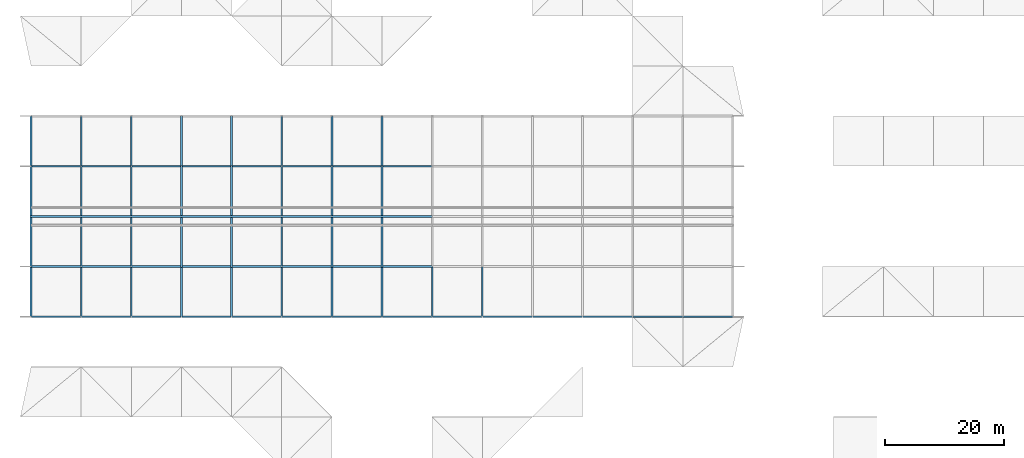
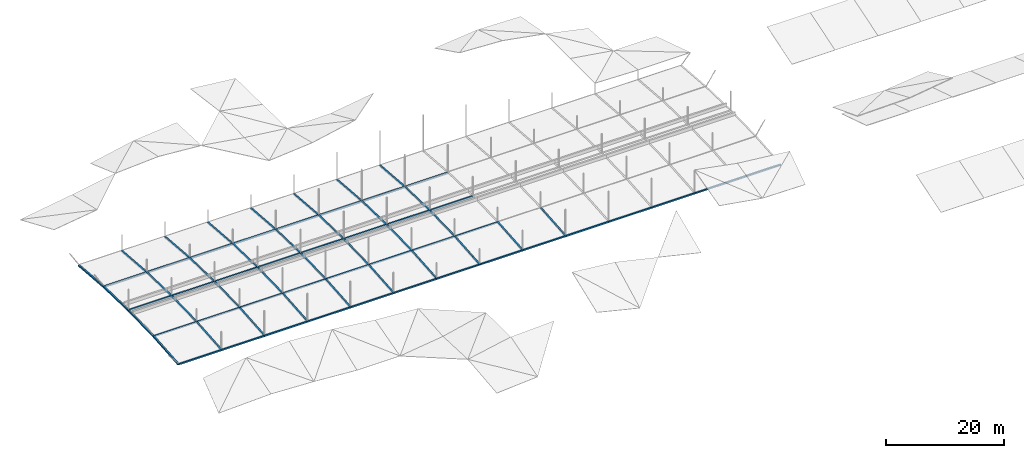
# One storey, part 1 of 37: 72 members.
"""IFC4 building model written with IfcOpenShell, lengths in metres."""

import ifcopenshell
import ifcopenshell.guid

model = None  # the IFC model being written
_history = None  # IfcOwnerHistory: only IFC2X3 demands one
_inside = {}  # id of a spatial element -> (the spatial element, [elements in it])
_under = {}  # id of a project, library or spatial element -> (it, [spatial elements below it])
_declared = {}  # id of a project -> (the project, [libraries it declares])
_typed = {}  # id of a type object -> (the type object, [elements of that type])
_made_of = {}  # id of a material, layer set ... -> (it, [elements and type objects made of it])


def new_model(schema):
    """Start an empty IFC model of exactly this schema.

    Asked for "IFC4X3", IfcOpenShell would pick the latest addendum, in which some entities
    have other attributes; the version numbers below select the first issue.
    IFC2X3 requires an IfcOwnerHistory on every rooted entity: one is made here for all.
    """
    global model, _history
    if schema == "IFC4X3":
        model = ifcopenshell.file(schema_version=(4, 3, 0, 0))
    else:
        model = ifcopenshell.file(schema=schema)
    _inside.clear()
    _under.clear()
    _declared.clear()
    _typed.clear()
    _made_of.clear()
    _history = None
    if model.schema == "IFC2X3":
        org = make("IfcOrganization", Name="unknown")
        user = make(
            "IfcPersonAndOrganization",
            ThePerson=make("IfcPerson", FamilyName="unknown"),
            TheOrganization=org,
        )
        app = make(
            "IfcApplication",
            ApplicationDeveloper=org,
            Version="unknown",
            ApplicationFullName="unknown",
            ApplicationIdentifier="unknown",
        )
        _history = make(
            "IfcOwnerHistory",
            OwningUser=user,
            OwningApplication=app,
            ChangeAction="ADDED",
            CreationDate=0,
        )
    return model


def make(cls, **values):
    """One entity of the class cls with the attributes given. An attribute that is None is left unset."""
    return model.create_entity(
        cls, **{name: value for name, value in values.items() if value is not None}
    )


def rooted(cls, **values):
    """An entity with a GlobalId (a new one), such as an element, a storey or a relation."""
    return make(cls, GlobalId=ifcopenshell.guid.new(), OwnerHistory=_history, **values)


def si_unit(unit_type, name, prefix=None):
    """IfcSIUnit, for example si_unit("LENGTHUNIT", "METRE", prefix="MILLI")."""
    return make("IfcSIUnit", UnitType=unit_type, Prefix=prefix, Name=name)


def assignment(units):
    """IfcUnitAssignment: the units of a project."""
    return None if units is None else make("IfcUnitAssignment", Units=units)


def point(xyz):
    """IfcCartesianPoint."""
    return None if xyz is None else make("IfcCartesianPoint", Coordinates=xyz)


def direction(xyz):
    """IfcDirection."""
    return None if xyz is None else make("IfcDirection", DirectionRatios=xyz)


def frame(location, z_axis=None, x_axis=None):
    """IfcAxis2Placement3D, a coordinate frame: its origin and axes. An axis left out is left unset."""
    return make(
        "IfcAxis2Placement3D",
        Location=point(location),
        Axis=direction(z_axis),
        RefDirection=direction(x_axis),
    )


def frame_2d(location, x_axis=None):
    """IfcAxis2Placement2D, a coordinate frame in the plane: its origin and x axis."""
    return make(
        "IfcAxis2Placement2D", Location=point(location), RefDirection=direction(x_axis)
    )


def origin():
    """The frame at (0, 0, 0) with its axes left unset."""
    return frame((0.0, 0.0, 0.0))


def origin_2d():
    """The frame at (0, 0) in the plane with its x axis left unset."""
    return frame_2d((0.0, 0.0))


def place(relative_to, where):
    """IfcLocalPlacement: puts the frame where relative to a parent placement (None: the world)."""
    return make(
        "IfcLocalPlacement", PlacementRelTo=relative_to, RelativePlacement=where
    )


def context(
    kind, dimensions, precision=None, world=None, true_north=None, identifier=None
):
    """IfcGeometricRepresentationContext, for example the 3D "Model" context."""
    return make(
        "IfcGeometricRepresentationContext",
        ContextIdentifier=identifier,
        ContextType=kind,
        CoordinateSpaceDimension=dimensions,
        Precision=precision,
        WorldCoordinateSystem=world,
        TrueNorth=true_north,
    )


def subcontext(parent, identifier, kind, view, scale=None):
    """IfcGeometricRepresentationSubContext, for example "Body" below "Model"."""
    return make(
        "IfcGeometricRepresentationSubContext",
        ContextIdentifier=identifier,
        ContextType=kind,
        ParentContext=parent,
        TargetScale=scale,
        TargetView=view,
    )


def project(units=None, contexts=None):
    """IfcProject with its units and contexts."""
    return rooted(
        "IfcProject",
        Name="project",
        RepresentationContexts=contexts,
        UnitsInContext=assignment(units),
    )


def spatial(cls, under=None, at=None, **own):
    """A site, building, storey or space (cls), placed at a placement, below another one or the project."""
    s = rooted(cls, ObjectPlacement=at, **own)
    if under is not None:
        _under.setdefault(under.id(), (under, []))[1].append(s)
    return s


def profile(cls, at=None, kind="AREA", **sizes):
    """A parametric profile (cls). Its sizes go by their IFC names, for example OverallWidth=200.0."""
    return make(cls, ProfileType=kind, Position=at, **sizes)


def hollow_rectangle(**sizes):
    """IfcRectangleHollowProfileDef."""
    return profile("IfcRectangleHollowProfileDef", **sizes)


def extrude(swept, where, along, depth):
    """IfcExtrudedAreaSolid: the profile swept, set in the frame where, extruded along a direction by depth."""
    return make(
        "IfcExtrudedAreaSolid",
        SweptArea=swept,
        Position=where,
        ExtrudedDirection=direction(along),
        Depth=depth,
    )


def shape(context_of_items, identifier, shape_type, items):
    """IfcShapeRepresentation: the items that make up one representation, for example the "Body"."""
    return make(
        "IfcShapeRepresentation",
        ContextOfItems=context_of_items,
        RepresentationIdentifier=identifier,
        RepresentationType=shape_type,
        Items=items,
    )


def material(Name=None, Category=None):
    """IfcMaterial."""
    return make("IfcMaterial", Name=Name, Category=Category)


def material_profile(
    of_material, cross_section, Name=None, Category=None, Priority=None
):
    """IfcMaterialProfile: a cross section and its material."""
    return make(
        "IfcMaterialProfile",
        Name=Name,
        Material=of_material,
        Profile=cross_section,
        Priority=Priority,
        Category=Category,
    )


def profile_set(profiles, Name=None, composite=None):
    """IfcMaterialProfileSet."""
    return make(
        "IfcMaterialProfileSet",
        Name=Name,
        MaterialProfiles=profiles,
        CompositeProfile=composite,
    )


def made_of(thing, what):
    """Note that an element or type object is made of a material, layer set ...; save() writes the relation."""
    if what is not None:
        _made_of.setdefault(what.id(), (what, []))[1].append(thing)
    return thing


def type_object(cls, material=None, **own):
    """A type object (cls), such as IfcWallType, which elements share."""
    return made_of(rooted(cls, **own), material)


def element(
    cls,
    number,
    at=None,
    inside=None,
    cuts=None,
    type_object=None,
    material=None,
    context=None,
    identifier="Body",
    shape_type=None,
    held_by="IfcProductDefinitionShape",
    body=None,
    shapes=None,
    **own,
):
    """One element of the class cls, such as IfcWall. Its Tag is "e" and its number.

    at: its placement. inside: the storey or other place that contains it. cuts: it is an
    opening in that element (IfcRelVoidsElement). A single representation is given by context,
    identifier, shape_type and body (its items); several are given by shapes. held_by: the class
    of the entity that holds the representations. save() writes the other relations.
    """
    e = rooted(cls, Tag="e%d" % number, ObjectPlacement=at, **own)
    if body is not None:
        shapes = [shape(context, identifier, shape_type, body)]
    if shapes is not None:
        e.Representation = make(held_by, Representations=shapes)
    if inside is not None:
        _inside.setdefault(inside.id(), (inside, []))[1].append(e)
    if cuts is not None:
        rooted(
            "IfcRelVoidsElement", RelatingBuildingElement=cuts, RelatedOpeningElement=e
        )
    if type_object is not None:
        _typed.setdefault(type_object.id(), (type_object, []))[1].append(e)
    return made_of(e, material)


def aggregate(whole, parts):
    """IfcRelAggregates: a whole, such as a stair, and the parts it consists of."""
    return rooted("IfcRelAggregates", RelatingObject=whole, RelatedObjects=parts)


def save(model, path):
    """Write the relations noted so far, then the file.

    IfcRelAggregates (storeys below a building ...), IfcRelContainedInSpatialStructure (elements
    in a storey), IfcRelDefinesByType, IfcRelAssociatesMaterial and IfcRelDeclares: one each for
    every whole, place, type object, material and project.
    """
    for whole, parts in _under.values():
        aggregate(whole, parts)
    for where, things in _inside.values():
        rooted(
            "IfcRelContainedInSpatialStructure",
            RelatedElements=things,
            RelatingStructure=where,
        )
    for kind, things in _typed.values():
        rooted("IfcRelDefinesByType", RelatedObjects=things, RelatingType=kind)
    for what, things in _made_of.values():
        rooted("IfcRelAssociatesMaterial", RelatedObjects=things, RelatingMaterial=what)
    for by, libraries in _declared.values():
        rooted("IfcRelDeclares", RelatingContext=by, RelatedDefinitions=libraries)
    model.write(path)


model = new_model("IFC4")

# Units and contexts
model_context = context("Model", 3, precision=1e-05, world=origin(), true_north=direction((0.0, 1.0)))
body_context = subcontext(model_context, "Body", "Model", "MODEL_VIEW")
ifc_project = project(units=[si_unit("LENGTHUNIT", "METRE"), si_unit("AREAUNIT", "SQUARE_METRE"), si_unit("VOLUMEUNIT", "CUBIC_METRE"), si_unit("PLANEANGLEUNIT", "RADIAN"), si_unit("MASSUNIT", "GRAM", prefix="KILO")], contexts=[model_context])

# Site, building, storey
site_placement = place(None, origin())
site = spatial("IfcSite", under=ifc_project, at=site_placement, CompositionType="ELEMENT")
building_placement = place(site_placement, origin())
building = spatial("IfcBuilding", under=site, at=building_placement, Name="Rain Tree Exposition and Congress Centre", CompositionType="ELEMENT")
storey_placement = place(building_placement, frame((0.0, 0.0, 25.0)))
storey = spatial("IfcBuildingStorey", under=building, at=storey_placement, Name="ROOF VAULT LOW", CompositionType="ELEMENT", Elevation=25.0)

# Members
ifc_material = material(Name="Steel S355J2H", Category="steel")
ifc_material_profile = material_profile(ifc_material, hollow_rectangle(XDim=0.300048828125, YDim=0.300048828125, WallThickness=0.009033203125, at=origin_2d()), Name="RHS 300x300x9")
ifc_profile_set = profile_set([ifc_material_profile], Name="Steel S355J2H")
member_type = type_object("IfcMemberType", Name="Steel chord member RHS 300x300x9", PredefinedType="CHORD", material=ifc_profile_set)
member_1_placement = place(storey_placement, frame((8.39990234375, 134.39990234375, 0.339111328125), z_axis=(1.0, 0.0, 0.0), x_axis=(0.0, 1.0, 0.0)))
element("IfcMember", 1, at=member_1_placement, inside=storey, type_object=member_type, Name="Top chord 57", PredefinedType="CHORD", context=body_context, shape_type="SweptSolid", body=[
    extrude(hollow_rectangle(XDim=0.300048828125, YDim=0.300048828125, WallThickness=0.009033203125, at=origin_2d()), origin(), (0.0, 0.0, 1.0), 8.400146484375),
])
member_2_placement = place(storey_placement, frame((16.800048828125, 134.39990234375, 0.339111328125), z_axis=(1.0, 0.0, 0.0), x_axis=(0.0, 1.0, 0.0)))
element("IfcMember", 2, at=member_2_placement, inside=storey, type_object=member_type, Name="Top chord 58", PredefinedType="CHORD", context=body_context, shape_type="SweptSolid", body=[
    extrude(hollow_rectangle(XDim=0.300048828125, YDim=0.300048828125, WallThickness=0.009033203125, at=origin_2d()), origin(), (0.0, 0.0, 1.0), 8.39990234375),
])
member_3_placement = place(storey_placement, frame((25.199951171875, 134.39990234375, 0.339111328125), z_axis=(1.0, 0.0, 0.0), x_axis=(0.0, 1.0, 0.0)))
element("IfcMember", 3, at=member_3_placement, inside=storey, type_object=member_type, Name="Top chord 59", PredefinedType="CHORD", context=body_context, shape_type="SweptSolid", body=[
    extrude(hollow_rectangle(XDim=0.300048828125, YDim=0.300048828125, WallThickness=0.009033203125, at=origin_2d()), origin(), (0.0, 0.0, 1.0), 8.400146484375),
])
for number, where, z_axis, x_axis, name in (
    (4, (33.60009765625, 134.39990234375, 0.339111328125), (1.0, 0.0, 0.0), (0.0, 1.0, 0.0), "Top chord 60"),
    (5, (42.0, 134.39990234375, 0.339111328125), (1.0, 0.0, 0.0), (0.0, 1.0, 0.0), "Top chord 61"),
):
    element("IfcMember", number, at=place(storey_placement, frame(where, z_axis=z_axis, x_axis=x_axis)), inside=storey, type_object=member_type, Name=name, PredefinedType="CHORD", context=body_context, shape_type="SweptSolid", body=[
        extrude(hollow_rectangle(XDim=0.300048828125, YDim=0.300048828125, WallThickness=0.009033203125, at=origin_2d()), origin(), (0.0, 0.0, 1.0), 8.39990234375),
    ])
member_4_placement = place(storey_placement, frame((50.39990234375, 134.39990234375, 0.339111328125), z_axis=(1.0, 0.0, 0.0), x_axis=(0.0, 1.0, 0.0)))
element("IfcMember", 6, at=member_4_placement, inside=storey, type_object=member_type, Name="Top chord 62", PredefinedType="CHORD", context=body_context, shape_type="SweptSolid", body=[
    extrude(hollow_rectangle(XDim=0.300048828125, YDim=0.300048828125, WallThickness=0.009033203125, at=origin_2d()), origin(), (0.0, 0.0, 1.0), 8.400146484375),
])
member_5_placement = place(storey_placement, frame((58.800048828125, 134.39990234375, 0.339111328125), z_axis=(1.0, 0.0, 0.0), x_axis=(0.0, 1.0, 0.0)))
element("IfcMember", 7, at=member_5_placement, inside=storey, type_object=member_type, Name="Top chord 63", PredefinedType="CHORD", context=body_context, shape_type="SweptSolid", body=[
    extrude(hollow_rectangle(XDim=0.300048828125, YDim=0.300048828125, WallThickness=0.009033203125, at=origin_2d()), origin(), (0.0, 0.0, 1.0), 8.39990234375),
])
member_6_placement = place(storey_placement, frame((67.199951171875, 134.39990234375, 0.339111328125), z_axis=(1.0, 0.0, 0.0), x_axis=(0.0, 1.0, 0.0)))
element("IfcMember", 8, at=member_6_placement, inside=storey, type_object=member_type, Name="Top chord 64", PredefinedType="CHORD", context=body_context, shape_type="SweptSolid", body=[
    extrude(hollow_rectangle(XDim=0.300048828125, YDim=0.300048828125, WallThickness=0.009033203125, at=origin_2d()), origin(), (0.0, 0.0, 1.0), 8.400146484375),
])
for number, where, z_axis, x_axis, name in (
    (9, (75.60009765625, 134.39990234375, 0.339111328125), (1.0, 0.0, 0.0), (0.0, 1.0, 0.0), "Top chord 65"),
    (10, (84.0, 134.39990234375, 0.339111328125), (1.0, 0.0, 0.0), (0.0, 1.0, 0.0), "Top chord 66"),
):
    element("IfcMember", number, at=place(storey_placement, frame(where, z_axis=z_axis, x_axis=x_axis)), inside=storey, type_object=member_type, Name=name, PredefinedType="CHORD", context=body_context, shape_type="SweptSolid", body=[
        extrude(hollow_rectangle(XDim=0.300048828125, YDim=0.300048828125, WallThickness=0.009033203125, at=origin_2d()), origin(), (0.0, 0.0, 1.0), 8.39990234375),
    ])
member_7_placement = place(storey_placement, frame((92.39990234375, 134.39990234375, 0.339111328125), z_axis=(1.0, 0.0, 0.0), x_axis=(0.0, 1.0, 0.0)))
element("IfcMember", 11, at=member_7_placement, inside=storey, type_object=member_type, Name="Top chord 67", PredefinedType="CHORD", context=body_context, shape_type="SweptSolid", body=[
    extrude(hollow_rectangle(XDim=0.300048828125, YDim=0.300048828125, WallThickness=0.009033203125, at=origin_2d()), origin(), (0.0, 0.0, 1.0), 8.400146484375),
])
member_8_placement = place(storey_placement, frame((100.800048828125, 134.39990234375, 0.339111328125), z_axis=(1.0, 0.0, 0.0), x_axis=(0.0, 1.0, 0.0)))
element("IfcMember", 12, at=member_8_placement, inside=storey, type_object=member_type, Name="Top chord 68", PredefinedType="CHORD", context=body_context, shape_type="SweptSolid", body=[
    extrude(hollow_rectangle(XDim=0.300048828125, YDim=0.300048828125, WallThickness=0.009033203125, at=origin_2d()), origin(), (0.0, 0.0, 1.0), 8.39990234375),
])
member_9_placement = place(storey_placement, frame((109.199951171875, 134.39990234375, 0.339111328125), z_axis=(1.0, 0.0, 0.0), x_axis=(0.0, 1.0, 0.0)))
element("IfcMember", 13, at=member_9_placement, inside=storey, type_object=member_type, Name="Top chord 69", PredefinedType="CHORD", context=body_context, shape_type="SweptSolid", body=[
    extrude(hollow_rectangle(XDim=0.300048828125, YDim=0.300048828125, WallThickness=0.009033203125, at=origin_2d()), origin(), (0.0, 0.0, 1.0), 8.400146484375),
])
member_10_placement = place(storey_placement, frame((117.60009765625, 134.39990234375, 0.339111328125), z_axis=(1.0, 0.0, 0.0), x_axis=(0.0, 1.0, 0.0)))
element("IfcMember", 14, at=member_10_placement, inside=storey, type_object=member_type, Name="Top chord 70", PredefinedType="CHORD", context=body_context, shape_type="SweptSolid", body=[
    extrude(hollow_rectangle(XDim=0.300048828125, YDim=0.300048828125, WallThickness=0.009033203125, at=origin_2d()), origin(), (0.0, 0.0, 1.0), 8.39990234375),
])
member_11_placement = place(storey_placement, frame((8.39990234375, 142.800048828125, 1.022705078125), z_axis=(1.0, 0.0, 0.0), x_axis=(0.0, 1.0, 0.0)))
element("IfcMember", 15, at=member_11_placement, inside=storey, type_object=member_type, Name="Top chord 71", PredefinedType="CHORD", context=body_context, shape_type="SweptSolid", body=[
    extrude(hollow_rectangle(XDim=0.300048828125, YDim=0.300048828125, WallThickness=0.009033203125, at=origin_2d()), origin(), (0.0, 0.0, 1.0), 8.400146484375),
])
member_12_placement = place(storey_placement, frame((16.800048828125, 142.800048828125, 1.022705078125), z_axis=(1.0, 0.0, 0.0), x_axis=(0.0, 1.0, 0.0)))
element("IfcMember", 16, at=member_12_placement, inside=storey, type_object=member_type, Name="Top chord 72", PredefinedType="CHORD", context=body_context, shape_type="SweptSolid", body=[
    extrude(hollow_rectangle(XDim=0.300048828125, YDim=0.300048828125, WallThickness=0.009033203125, at=origin_2d()), origin(), (0.0, 0.0, 1.0), 8.39990234375),
])
member_13_placement = place(storey_placement, frame((25.199951171875, 142.800048828125, 1.022705078125), z_axis=(1.0, 0.0, 0.0), x_axis=(0.0, 1.0, 0.0)))
element("IfcMember", 17, at=member_13_placement, inside=storey, type_object=member_type, Name="Top chord 73", PredefinedType="CHORD", context=body_context, shape_type="SweptSolid", body=[
    extrude(hollow_rectangle(XDim=0.300048828125, YDim=0.300048828125, WallThickness=0.009033203125, at=origin_2d()), origin(), (0.0, 0.0, 1.0), 8.400146484375),
])
for number, where, z_axis, x_axis, name in (
    (18, (33.60009765625, 142.800048828125, 1.022705078125), (1.0, 0.0, 0.0), (0.0, 1.0, 0.0), "Top chord 74"),
    (19, (42.0, 142.800048828125, 1.022705078125), (1.0, 0.0, 0.0), (0.0, 1.0, 0.0), "Top chord 75"),
):
    element("IfcMember", number, at=place(storey_placement, frame(where, z_axis=z_axis, x_axis=x_axis)), inside=storey, type_object=member_type, Name=name, PredefinedType="CHORD", context=body_context, shape_type="SweptSolid", body=[
        extrude(hollow_rectangle(XDim=0.300048828125, YDim=0.300048828125, WallThickness=0.009033203125, at=origin_2d()), origin(), (0.0, 0.0, 1.0), 8.39990234375),
    ])
member_14_placement = place(storey_placement, frame((50.39990234375, 142.800048828125, 1.022705078125), z_axis=(1.0, 0.0, 0.0), x_axis=(0.0, 1.0, 0.0)))
element("IfcMember", 20, at=member_14_placement, inside=storey, type_object=member_type, Name="Top chord 76", PredefinedType="CHORD", context=body_context, shape_type="SweptSolid", body=[
    extrude(hollow_rectangle(XDim=0.300048828125, YDim=0.300048828125, WallThickness=0.009033203125, at=origin_2d()), origin(), (0.0, 0.0, 1.0), 8.400146484375),
])
member_15_placement = place(storey_placement, frame((58.800048828125, 142.800048828125, 1.022705078125), z_axis=(1.0, 0.0, 0.0), x_axis=(0.0, 1.0, 0.0)))
element("IfcMember", 21, at=member_15_placement, inside=storey, type_object=member_type, Name="Top chord 77", PredefinedType="CHORD", context=body_context, shape_type="SweptSolid", body=[
    extrude(hollow_rectangle(XDim=0.300048828125, YDim=0.300048828125, WallThickness=0.009033203125, at=origin_2d()), origin(), (0.0, 0.0, 1.0), 8.39990234375),
])
for number, where, z_axis, x_axis, name in (
    (22, (67.199951171875, 142.800048828125, 1.022705078125), (1.0, 0.0, 0.0), (0.0, 1.0, 0.0), "Top chord 78"),
    (23, (8.39990234375, 151.199951171875, 1.25), (1.0, 0.0, 0.0), (0.0, 1.0, 0.0), "Top chord 85"),
):
    element("IfcMember", number, at=place(storey_placement, frame(where, z_axis=z_axis, x_axis=x_axis)), inside=storey, type_object=member_type, Name=name, PredefinedType="CHORD", context=body_context, shape_type="SweptSolid", body=[
        extrude(hollow_rectangle(XDim=0.300048828125, YDim=0.300048828125, WallThickness=0.009033203125, at=origin_2d()), origin(), (0.0, 0.0, 1.0), 8.400146484375),
    ])
member_16_placement = place(storey_placement, frame((16.800048828125, 151.199951171875, 1.25), z_axis=(1.0, 0.0, 0.0), x_axis=(0.0, 1.0, 0.0)))
element("IfcMember", 24, at=member_16_placement, inside=storey, type_object=member_type, Name="Top chord 86", PredefinedType="CHORD", context=body_context, shape_type="SweptSolid", body=[
    extrude(hollow_rectangle(XDim=0.300048828125, YDim=0.300048828125, WallThickness=0.009033203125, at=origin_2d()), origin(), (0.0, 0.0, 1.0), 8.39990234375),
])
member_17_placement = place(storey_placement, frame((25.199951171875, 151.199951171875, 1.25), z_axis=(1.0, 0.0, 0.0), x_axis=(0.0, 1.0, 0.0)))
element("IfcMember", 25, at=member_17_placement, inside=storey, type_object=member_type, Name="Top chord 87", PredefinedType="CHORD", context=body_context, shape_type="SweptSolid", body=[
    extrude(hollow_rectangle(XDim=0.300048828125, YDim=0.300048828125, WallThickness=0.009033203125, at=origin_2d()), origin(), (0.0, 0.0, 1.0), 8.400146484375),
])
for number, where, z_axis, x_axis, name in (
    (26, (33.60009765625, 151.199951171875, 1.25), (1.0, 0.0, 0.0), (0.0, 1.0, 0.0), "Top chord 88"),
    (27, (42.0, 151.199951171875, 1.25), (1.0, 0.0, 0.0), (0.0, 1.0, 0.0), "Top chord 89"),
):
    element("IfcMember", number, at=place(storey_placement, frame(where, z_axis=z_axis, x_axis=x_axis)), inside=storey, type_object=member_type, Name=name, PredefinedType="CHORD", context=body_context, shape_type="SweptSolid", body=[
        extrude(hollow_rectangle(XDim=0.300048828125, YDim=0.300048828125, WallThickness=0.009033203125, at=origin_2d()), origin(), (0.0, 0.0, 1.0), 8.39990234375),
    ])
member_18_placement = place(storey_placement, frame((50.39990234375, 151.199951171875, 1.25), z_axis=(1.0, 0.0, 0.0), x_axis=(0.0, 1.0, 0.0)))
element("IfcMember", 28, at=member_18_placement, inside=storey, type_object=member_type, Name="Top chord 90", PredefinedType="CHORD", context=body_context, shape_type="SweptSolid", body=[
    extrude(hollow_rectangle(XDim=0.300048828125, YDim=0.300048828125, WallThickness=0.009033203125, at=origin_2d()), origin(), (0.0, 0.0, 1.0), 8.400146484375),
])
member_19_placement = place(storey_placement, frame((58.800048828125, 151.199951171875, 1.25), z_axis=(1.0, 0.0, 0.0), x_axis=(0.0, 1.0, 0.0)))
element("IfcMember", 29, at=member_19_placement, inside=storey, type_object=member_type, Name="Top chord 91", PredefinedType="CHORD", context=body_context, shape_type="SweptSolid", body=[
    extrude(hollow_rectangle(XDim=0.300048828125, YDim=0.300048828125, WallThickness=0.009033203125, at=origin_2d()), origin(), (0.0, 0.0, 1.0), 8.39990234375),
])
for number, where, z_axis, x_axis, name in (
    (30, (67.199951171875, 151.199951171875, 1.25), (1.0, 0.0, 0.0), (0.0, 1.0, 0.0), "Top chord 92"),
    (31, (8.39990234375, 159.60009765625, 1.022705078125), (1.0, 0.0, 0.0), (0.0, 1.0, 0.0), "Top chord 99"),
):
    element("IfcMember", number, at=place(storey_placement, frame(where, z_axis=z_axis, x_axis=x_axis)), inside=storey, type_object=member_type, Name=name, PredefinedType="CHORD", context=body_context, shape_type="SweptSolid", body=[
        extrude(hollow_rectangle(XDim=0.300048828125, YDim=0.300048828125, WallThickness=0.009033203125, at=origin_2d()), origin(), (0.0, 0.0, 1.0), 8.400146484375),
    ])
member_20_placement = place(storey_placement, frame((16.800048828125, 159.60009765625, 1.022705078125), z_axis=(1.0, 0.0, 0.0), x_axis=(0.0, 1.0, 0.0)))
element("IfcMember", 32, at=member_20_placement, inside=storey, type_object=member_type, Name="Top chord 100", PredefinedType="CHORD", context=body_context, shape_type="SweptSolid", body=[
    extrude(hollow_rectangle(XDim=0.300048828125, YDim=0.300048828125, WallThickness=0.009033203125, at=origin_2d()), origin(), (0.0, 0.0, 1.0), 8.39990234375),
])
member_21_placement = place(storey_placement, frame((25.199951171875, 159.60009765625, 1.022705078125), z_axis=(1.0, 0.0, 0.0), x_axis=(0.0, 1.0, 0.0)))
element("IfcMember", 33, at=member_21_placement, inside=storey, type_object=member_type, Name="Top chord 101", PredefinedType="CHORD", context=body_context, shape_type="SweptSolid", body=[
    extrude(hollow_rectangle(XDim=0.300048828125, YDim=0.300048828125, WallThickness=0.009033203125, at=origin_2d()), origin(), (0.0, 0.0, 1.0), 8.400146484375),
])
for number, where, z_axis, x_axis, name in (
    (34, (33.60009765625, 159.60009765625, 1.022705078125), (1.0, 0.0, 0.0), (0.0, 1.0, 0.0), "Top chord 102"),
    (35, (42.0, 159.60009765625, 1.022705078125), (1.0, 0.0, 0.0), (0.0, 1.0, 0.0), "Top chord 103"),
):
    element("IfcMember", number, at=place(storey_placement, frame(where, z_axis=z_axis, x_axis=x_axis)), inside=storey, type_object=member_type, Name=name, PredefinedType="CHORD", context=body_context, shape_type="SweptSolid", body=[
        extrude(hollow_rectangle(XDim=0.300048828125, YDim=0.300048828125, WallThickness=0.009033203125, at=origin_2d()), origin(), (0.0, 0.0, 1.0), 8.39990234375),
    ])
member_22_placement = place(storey_placement, frame((50.39990234375, 159.60009765625, 1.022705078125), z_axis=(1.0, 0.0, 0.0), x_axis=(0.0, 1.0, 0.0)))
element("IfcMember", 36, at=member_22_placement, inside=storey, type_object=member_type, Name="Top chord 104", PredefinedType="CHORD", context=body_context, shape_type="SweptSolid", body=[
    extrude(hollow_rectangle(XDim=0.300048828125, YDim=0.300048828125, WallThickness=0.009033203125, at=origin_2d()), origin(), (0.0, 0.0, 1.0), 8.400146484375),
])
member_23_placement = place(storey_placement, frame((58.800048828125, 159.60009765625, 1.022705078125), z_axis=(1.0, 0.0, 0.0), x_axis=(0.0, 1.0, 0.0)))
element("IfcMember", 37, at=member_23_placement, inside=storey, type_object=member_type, Name="Top chord 105", PredefinedType="CHORD", context=body_context, shape_type="SweptSolid", body=[
    extrude(hollow_rectangle(XDim=0.300048828125, YDim=0.300048828125, WallThickness=0.009033203125, at=origin_2d()), origin(), (0.0, 0.0, 1.0), 8.39990234375),
])
member_24_placement = place(storey_placement, frame((67.199951171875, 159.60009765625, 1.022705078125), z_axis=(1.0, 0.0, 0.0), x_axis=(0.0, 1.0, 0.0)))
element("IfcMember", 38, at=member_24_placement, inside=storey, type_object=member_type, Name="Top chord 106", PredefinedType="CHORD", context=body_context, shape_type="SweptSolid", body=[
    extrude(hollow_rectangle(XDim=0.300048828125, YDim=0.300048828125, WallThickness=0.009033203125, at=origin_2d()), origin(), (0.0, 0.0, 1.0), 8.400146484375),
])
member_25_placement = place(storey_placement, frame((8.39990234375, 134.39990234375, 0.339111328125), z_axis=(0.0, 0.996705102693, 0.081110654447), x_axis=(-1.0, 0.0, 0.0)))
element("IfcMember", 39, at=member_25_placement, inside=storey, type_object=member_type, Name="Top chord 187", PredefinedType="CHORD", context=body_context, shape_type="SweptSolid", body=[
    extrude(hollow_rectangle(XDim=0.300048828125, YDim=0.300048828125, WallThickness=0.009033203125, at=origin_2d()), origin(), (0.0, 0.0, 1.0), 8.427978515625),
])
member_26_placement = place(storey_placement, frame((8.39990234375, 142.800048828125, 1.022705078125), z_axis=(0.0, 0.999634099854, 0.027049332877), x_axis=(-1.0, 0.0, 0.0)))
element("IfcMember", 40, at=member_26_placement, inside=storey, type_object=member_type, Name="Top chord 188", PredefinedType="CHORD", context=body_context, shape_type="SweptSolid", body=[
    extrude(hollow_rectangle(XDim=0.300048828125, YDim=0.300048828125, WallThickness=0.009033203125, at=origin_2d()), origin(), (0.0, 0.0, 1.0), 8.403076171875),
])
member_27_placement = place(storey_placement, frame((8.39990234375, 151.199951171875, 1.25), z_axis=(0.0, 0.999634121111, -0.027048547294), x_axis=(-1.0, 0.0, 0.0)))
element("IfcMember", 41, at=member_27_placement, inside=storey, type_object=member_type, Name="Top chord 189", PredefinedType="CHORD", context=body_context, shape_type="SweptSolid", body=[
    extrude(hollow_rectangle(XDim=0.300048828125, YDim=0.300048828125, WallThickness=0.009033203125, at=origin_2d()), origin(), (0.0, 0.0, 1.0), 8.4033203125),
])
member_28_placement = place(storey_placement, frame((8.39990234375, 159.60009765625, 1.022705078125), z_axis=(0.0, 0.996704912106, -0.081112996393), x_axis=(-1.0, 0.0, 0.0)))
element("IfcMember", 42, at=member_28_placement, inside=storey, type_object=member_type, Name="Top chord 190", PredefinedType="CHORD", context=body_context, shape_type="SweptSolid", body=[
    extrude(hollow_rectangle(XDim=0.300048828125, YDim=0.300048828125, WallThickness=0.009033203125, at=origin_2d()), origin(), (0.0, 0.0, 1.0), 8.427734375),
])
member_29_placement = place(storey_placement, frame((16.800048828125, 134.39990234375, 0.339111328125), z_axis=(0.0, 0.996705102693, 0.081110654447), x_axis=(-1.0, 0.0, 0.0)))
element("IfcMember", 43, at=member_29_placement, inside=storey, type_object=member_type, Name="Top chord 199", PredefinedType="CHORD", context=body_context, shape_type="SweptSolid", body=[
    extrude(hollow_rectangle(XDim=0.300048828125, YDim=0.300048828125, WallThickness=0.009033203125, at=origin_2d()), origin(), (0.0, 0.0, 1.0), 8.427978515625),
])
member_30_placement = place(storey_placement, frame((16.800048828125, 142.800048828125, 1.022705078125), z_axis=(0.0, 0.999634099854, 0.027049332877), x_axis=(-1.0, 0.0, 0.0)))
element("IfcMember", 44, at=member_30_placement, inside=storey, type_object=member_type, Name="Top chord 200", PredefinedType="CHORD", context=body_context, shape_type="SweptSolid", body=[
    extrude(hollow_rectangle(XDim=0.300048828125, YDim=0.300048828125, WallThickness=0.009033203125, at=origin_2d()), origin(), (0.0, 0.0, 1.0), 8.403076171875),
])
member_31_placement = place(storey_placement, frame((16.800048828125, 151.199951171875, 1.25), z_axis=(0.0, 0.999634121111, -0.027048547294), x_axis=(-1.0, 0.0, 0.0)))
element("IfcMember", 45, at=member_31_placement, inside=storey, type_object=member_type, Name="Top chord 201", PredefinedType="CHORD", context=body_context, shape_type="SweptSolid", body=[
    extrude(hollow_rectangle(XDim=0.300048828125, YDim=0.300048828125, WallThickness=0.009033203125, at=origin_2d()), origin(), (0.0, 0.0, 1.0), 8.4033203125),
])
member_32_placement = place(storey_placement, frame((16.800048828125, 159.60009765625, 1.022705078125), z_axis=(0.0, 0.996704912106, -0.081112996393), x_axis=(-1.0, 0.0, 0.0)))
element("IfcMember", 46, at=member_32_placement, inside=storey, type_object=member_type, Name="Top chord 202", PredefinedType="CHORD", context=body_context, shape_type="SweptSolid", body=[
    extrude(hollow_rectangle(XDim=0.300048828125, YDim=0.300048828125, WallThickness=0.009033203125, at=origin_2d()), origin(), (0.0, 0.0, 1.0), 8.427734375),
])
member_33_placement = place(storey_placement, frame((25.199951171875, 134.39990234375, 0.339111328125), z_axis=(0.0, 0.996705102693, 0.081110654447), x_axis=(-1.0, 0.0, 0.0)))
element("IfcMember", 47, at=member_33_placement, inside=storey, type_object=member_type, Name="Top chord 211", PredefinedType="CHORD", context=body_context, shape_type="SweptSolid", body=[
    extrude(hollow_rectangle(XDim=0.300048828125, YDim=0.300048828125, WallThickness=0.009033203125, at=origin_2d()), origin(), (0.0, 0.0, 1.0), 8.427978515625),
])
member_34_placement = place(storey_placement, frame((25.199951171875, 142.800048828125, 1.022705078125), z_axis=(0.0, 0.999634099854, 0.027049332877), x_axis=(-1.0, 0.0, 0.0)))
element("IfcMember", 48, at=member_34_placement, inside=storey, type_object=member_type, Name="Top chord 212", PredefinedType="CHORD", context=body_context, shape_type="SweptSolid", body=[
    extrude(hollow_rectangle(XDim=0.300048828125, YDim=0.300048828125, WallThickness=0.009033203125, at=origin_2d()), origin(), (0.0, 0.0, 1.0), 8.403076171875),
])
member_35_placement = place(storey_placement, frame((25.199951171875, 151.199951171875, 1.25), z_axis=(0.0, 0.999634121111, -0.027048547294), x_axis=(-1.0, 0.0, 0.0)))
element("IfcMember", 49, at=member_35_placement, inside=storey, type_object=member_type, Name="Top chord 213", PredefinedType="CHORD", context=body_context, shape_type="SweptSolid", body=[
    extrude(hollow_rectangle(XDim=0.300048828125, YDim=0.300048828125, WallThickness=0.009033203125, at=origin_2d()), origin(), (0.0, 0.0, 1.0), 8.4033203125),
])
member_36_placement = place(storey_placement, frame((25.199951171875, 159.60009765625, 1.022705078125), z_axis=(0.0, 0.996704912106, -0.081112996393), x_axis=(-1.0, 0.0, 0.0)))
element("IfcMember", 50, at=member_36_placement, inside=storey, type_object=member_type, Name="Top chord 214", PredefinedType="CHORD", context=body_context, shape_type="SweptSolid", body=[
    extrude(hollow_rectangle(XDim=0.300048828125, YDim=0.300048828125, WallThickness=0.009033203125, at=origin_2d()), origin(), (0.0, 0.0, 1.0), 8.427734375),
])
member_37_placement = place(storey_placement, frame((33.60009765625, 134.39990234375, 0.339111328125), z_axis=(0.0, 0.996705102693, 0.081110654447), x_axis=(-1.0, 0.0, 0.0)))
element("IfcMember", 51, at=member_37_placement, inside=storey, type_object=member_type, Name="Top chord 223", PredefinedType="CHORD", context=body_context, shape_type="SweptSolid", body=[
    extrude(hollow_rectangle(XDim=0.300048828125, YDim=0.300048828125, WallThickness=0.009033203125, at=origin_2d()), origin(), (0.0, 0.0, 1.0), 8.427978515625),
])
member_38_placement = place(storey_placement, frame((33.60009765625, 142.800048828125, 1.022705078125), z_axis=(0.0, 0.999634099854, 0.027049332877), x_axis=(-1.0, 0.0, 0.0)))
element("IfcMember", 52, at=member_38_placement, inside=storey, type_object=member_type, Name="Top chord 224", PredefinedType="CHORD", context=body_context, shape_type="SweptSolid", body=[
    extrude(hollow_rectangle(XDim=0.300048828125, YDim=0.300048828125, WallThickness=0.009033203125, at=origin_2d()), origin(), (0.0, 0.0, 1.0), 8.403076171875),
])
member_39_placement = place(storey_placement, frame((33.60009765625, 151.199951171875, 1.25), z_axis=(0.0, 0.999634121111, -0.027048547294), x_axis=(-1.0, 0.0, 0.0)))
element("IfcMember", 53, at=member_39_placement, inside=storey, type_object=member_type, Name="Top chord 225", PredefinedType="CHORD", context=body_context, shape_type="SweptSolid", body=[
    extrude(hollow_rectangle(XDim=0.300048828125, YDim=0.300048828125, WallThickness=0.009033203125, at=origin_2d()), origin(), (0.0, 0.0, 1.0), 8.4033203125),
])
member_40_placement = place(storey_placement, frame((33.60009765625, 159.60009765625, 1.022705078125), z_axis=(0.0, 0.996704912106, -0.081112996393), x_axis=(-1.0, 0.0, 0.0)))
element("IfcMember", 54, at=member_40_placement, inside=storey, type_object=member_type, Name="Top chord 226", PredefinedType="CHORD", context=body_context, shape_type="SweptSolid", body=[
    extrude(hollow_rectangle(XDim=0.300048828125, YDim=0.300048828125, WallThickness=0.009033203125, at=origin_2d()), origin(), (0.0, 0.0, 1.0), 8.427734375),
])
member_41_placement = place(storey_placement, frame((42.0, 134.39990234375, 0.339111328125), z_axis=(0.0, 0.996705102693, 0.081110654447), x_axis=(-1.0, 0.0, 0.0)))
element("IfcMember", 55, at=member_41_placement, inside=storey, type_object=member_type, Name="Top chord 235", PredefinedType="CHORD", context=body_context, shape_type="SweptSolid", body=[
    extrude(hollow_rectangle(XDim=0.300048828125, YDim=0.300048828125, WallThickness=0.009033203125, at=origin_2d()), origin(), (0.0, 0.0, 1.0), 8.427978515625),
])
member_42_placement = place(storey_placement, frame((42.0, 142.800048828125, 1.022705078125), z_axis=(0.0, 0.999634099854, 0.027049332877), x_axis=(-1.0, 0.0, 0.0)))
element("IfcMember", 56, at=member_42_placement, inside=storey, type_object=member_type, Name="Top chord 236", PredefinedType="CHORD", context=body_context, shape_type="SweptSolid", body=[
    extrude(hollow_rectangle(XDim=0.300048828125, YDim=0.300048828125, WallThickness=0.009033203125, at=origin_2d()), origin(), (0.0, 0.0, 1.0), 8.403076171875),
])
member_43_placement = place(storey_placement, frame((42.0, 151.199951171875, 1.25), z_axis=(0.0, 0.999634121111, -0.027048547294), x_axis=(-1.0, 0.0, 0.0)))
element("IfcMember", 57, at=member_43_placement, inside=storey, type_object=member_type, Name="Top chord 237", PredefinedType="CHORD", context=body_context, shape_type="SweptSolid", body=[
    extrude(hollow_rectangle(XDim=0.300048828125, YDim=0.300048828125, WallThickness=0.009033203125, at=origin_2d()), origin(), (0.0, 0.0, 1.0), 8.4033203125),
])
member_44_placement = place(storey_placement, frame((42.0, 159.60009765625, 1.022705078125), z_axis=(0.0, 0.996704912106, -0.081112996393), x_axis=(-1.0, 0.0, 0.0)))
element("IfcMember", 58, at=member_44_placement, inside=storey, type_object=member_type, Name="Top chord 238", PredefinedType="CHORD", context=body_context, shape_type="SweptSolid", body=[
    extrude(hollow_rectangle(XDim=0.300048828125, YDim=0.300048828125, WallThickness=0.009033203125, at=origin_2d()), origin(), (0.0, 0.0, 1.0), 8.427734375),
])
member_45_placement = place(storey_placement, frame((50.39990234375, 134.39990234375, 0.339111328125), z_axis=(0.0, 0.996705102693, 0.081110654447), x_axis=(-1.0, 0.0, 0.0)))
element("IfcMember", 59, at=member_45_placement, inside=storey, type_object=member_type, Name="Top chord 247", PredefinedType="CHORD", context=body_context, shape_type="SweptSolid", body=[
    extrude(hollow_rectangle(XDim=0.300048828125, YDim=0.300048828125, WallThickness=0.009033203125, at=origin_2d()), origin(), (0.0, 0.0, 1.0), 8.427978515625),
])
member_46_placement = place(storey_placement, frame((50.39990234375, 142.800048828125, 1.022705078125), z_axis=(0.0, 0.999634099854, 0.027049332877), x_axis=(-1.0, 0.0, 0.0)))
element("IfcMember", 60, at=member_46_placement, inside=storey, type_object=member_type, Name="Top chord 248", PredefinedType="CHORD", context=body_context, shape_type="SweptSolid", body=[
    extrude(hollow_rectangle(XDim=0.300048828125, YDim=0.300048828125, WallThickness=0.009033203125, at=origin_2d()), origin(), (0.0, 0.0, 1.0), 8.403076171875),
])
member_47_placement = place(storey_placement, frame((50.39990234375, 151.199951171875, 1.25), z_axis=(0.0, 0.999634121111, -0.027048547294), x_axis=(-1.0, 0.0, 0.0)))
element("IfcMember", 61, at=member_47_placement, inside=storey, type_object=member_type, Name="Top chord 249", PredefinedType="CHORD", context=body_context, shape_type="SweptSolid", body=[
    extrude(hollow_rectangle(XDim=0.300048828125, YDim=0.300048828125, WallThickness=0.009033203125, at=origin_2d()), origin(), (0.0, 0.0, 1.0), 8.4033203125),
])
member_48_placement = place(storey_placement, frame((50.39990234375, 159.60009765625, 1.022705078125), z_axis=(0.0, 0.996704912106, -0.081112996393), x_axis=(-1.0, 0.0, 0.0)))
element("IfcMember", 62, at=member_48_placement, inside=storey, type_object=member_type, Name="Top chord 250", PredefinedType="CHORD", context=body_context, shape_type="SweptSolid", body=[
    extrude(hollow_rectangle(XDim=0.300048828125, YDim=0.300048828125, WallThickness=0.009033203125, at=origin_2d()), origin(), (0.0, 0.0, 1.0), 8.427734375),
])
member_49_placement = place(storey_placement, frame((58.800048828125, 134.39990234375, 0.339111328125), z_axis=(0.0, 0.996705102693, 0.081110654447), x_axis=(-1.0, 0.0, 0.0)))
element("IfcMember", 63, at=member_49_placement, inside=storey, type_object=member_type, Name="Top chord 259", PredefinedType="CHORD", context=body_context, shape_type="SweptSolid", body=[
    extrude(hollow_rectangle(XDim=0.300048828125, YDim=0.300048828125, WallThickness=0.009033203125, at=origin_2d()), origin(), (0.0, 0.0, 1.0), 8.427978515625),
])
member_50_placement = place(storey_placement, frame((58.800048828125, 142.800048828125, 1.022705078125), z_axis=(0.0, 0.999634099854, 0.027049332877), x_axis=(-1.0, 0.0, 0.0)))
element("IfcMember", 64, at=member_50_placement, inside=storey, type_object=member_type, Name="Top chord 260", PredefinedType="CHORD", context=body_context, shape_type="SweptSolid", body=[
    extrude(hollow_rectangle(XDim=0.300048828125, YDim=0.300048828125, WallThickness=0.009033203125, at=origin_2d()), origin(), (0.0, 0.0, 1.0), 8.403076171875),
])
member_51_placement = place(storey_placement, frame((58.800048828125, 151.199951171875, 1.25), z_axis=(0.0, 0.999634121111, -0.027048547294), x_axis=(-1.0, 0.0, 0.0)))
element("IfcMember", 65, at=member_51_placement, inside=storey, type_object=member_type, Name="Top chord 261", PredefinedType="CHORD", context=body_context, shape_type="SweptSolid", body=[
    extrude(hollow_rectangle(XDim=0.300048828125, YDim=0.300048828125, WallThickness=0.009033203125, at=origin_2d()), origin(), (0.0, 0.0, 1.0), 8.4033203125),
])
member_52_placement = place(storey_placement, frame((58.800048828125, 159.60009765625, 1.022705078125), z_axis=(0.0, 0.996704912106, -0.081112996393), x_axis=(-1.0, 0.0, 0.0)))
element("IfcMember", 66, at=member_52_placement, inside=storey, type_object=member_type, Name="Top chord 262", PredefinedType="CHORD", context=body_context, shape_type="SweptSolid", body=[
    extrude(hollow_rectangle(XDim=0.300048828125, YDim=0.300048828125, WallThickness=0.009033203125, at=origin_2d()), origin(), (0.0, 0.0, 1.0), 8.427734375),
])
member_53_placement = place(storey_placement, frame((67.199951171875, 134.39990234375, 0.339111328125), z_axis=(0.0, 0.996705102693, 0.081110654447), x_axis=(-1.0, 0.0, 0.0)))
element("IfcMember", 67, at=member_53_placement, inside=storey, type_object=member_type, Name="Top chord 271", PredefinedType="CHORD", context=body_context, shape_type="SweptSolid", body=[
    extrude(hollow_rectangle(XDim=0.300048828125, YDim=0.300048828125, WallThickness=0.009033203125, at=origin_2d()), origin(), (0.0, 0.0, 1.0), 8.427978515625),
])
member_54_placement = place(storey_placement, frame((67.199951171875, 142.800048828125, 1.022705078125), z_axis=(0.0, 0.999634099854, 0.027049332877), x_axis=(-1.0, 0.0, 0.0)))
element("IfcMember", 68, at=member_54_placement, inside=storey, type_object=member_type, Name="Top chord 272", PredefinedType="CHORD", context=body_context, shape_type="SweptSolid", body=[
    extrude(hollow_rectangle(XDim=0.300048828125, YDim=0.300048828125, WallThickness=0.009033203125, at=origin_2d()), origin(), (0.0, 0.0, 1.0), 8.403076171875),
])
member_55_placement = place(storey_placement, frame((67.199951171875, 151.199951171875, 1.25), z_axis=(0.0, 0.999634121111, -0.027048547294), x_axis=(-1.0, 0.0, 0.0)))
element("IfcMember", 69, at=member_55_placement, inside=storey, type_object=member_type, Name="Top chord 273", PredefinedType="CHORD", context=body_context, shape_type="SweptSolid", body=[
    extrude(hollow_rectangle(XDim=0.300048828125, YDim=0.300048828125, WallThickness=0.009033203125, at=origin_2d()), origin(), (0.0, 0.0, 1.0), 8.4033203125),
])
member_56_placement = place(storey_placement, frame((67.199951171875, 159.60009765625, 1.022705078125), z_axis=(0.0, 0.996704912106, -0.081112996393), x_axis=(-1.0, 0.0, 0.0)))
element("IfcMember", 70, at=member_56_placement, inside=storey, type_object=member_type, Name="Top chord 274", PredefinedType="CHORD", context=body_context, shape_type="SweptSolid", body=[
    extrude(hollow_rectangle(XDim=0.300048828125, YDim=0.300048828125, WallThickness=0.009033203125, at=origin_2d()), origin(), (0.0, 0.0, 1.0), 8.427734375),
])
for number, where, z_axis, x_axis, name in (
    (71, (75.60009765625, 134.39990234375, 0.339111328125), (0.0, 0.996705102693, 0.081110654447), (-1.0, 0.0, 0.0), "Top chord 283"),
    (72, (84.0, 134.39990234375, 0.339111328125), (0.0, 0.996705102693, 0.081110654447), (-1.0, 0.0, 0.0), "Top chord 295"),
):
    element("IfcMember", number, at=place(storey_placement, frame(where, z_axis=z_axis, x_axis=x_axis)), inside=storey, type_object=member_type, Name=name, PredefinedType="CHORD", context=body_context, shape_type="SweptSolid", body=[
        extrude(hollow_rectangle(XDim=0.300048828125, YDim=0.300048828125, WallThickness=0.009033203125, at=origin_2d()), origin(), (0.0, 0.0, 1.0), 8.427978515625),
    ])

save(model, "model.ifc")
